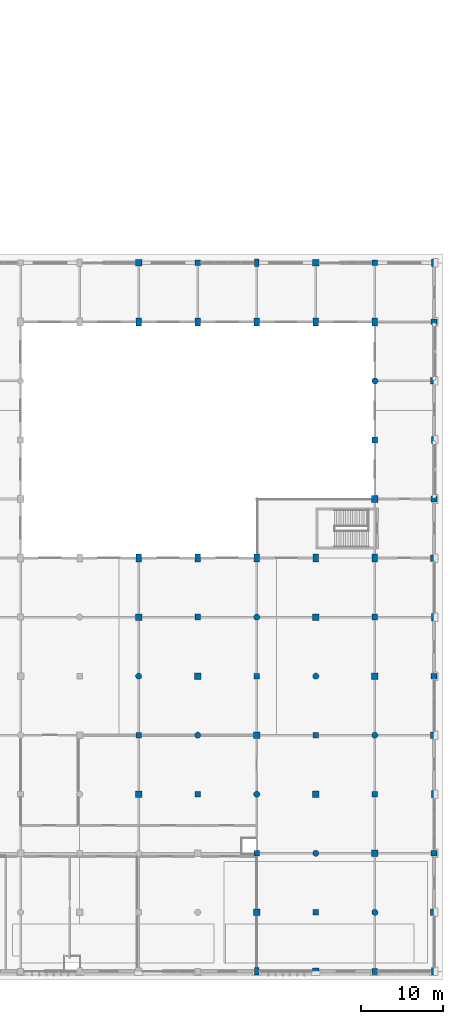
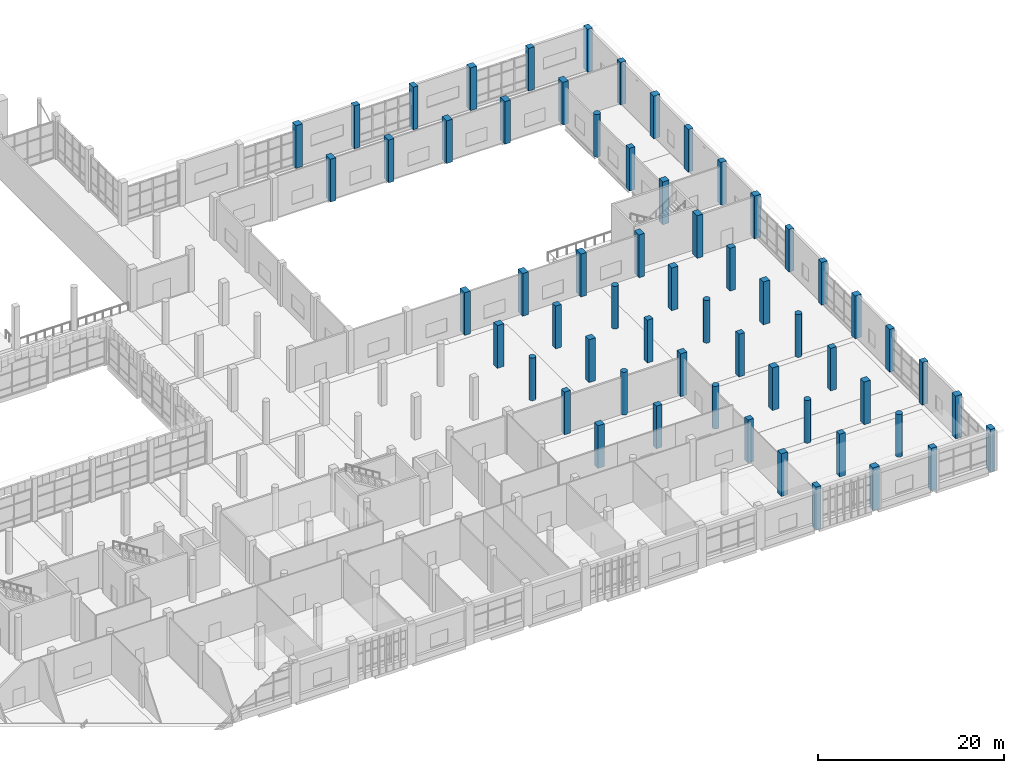
# One storey, part 7 of 80: 60 columns.
"""IFC4 building model written with IfcOpenShell, lengths in metres."""

from ifc_helpers import new_model, si_unit, direction, frame, origin, origin_2d, place, context, subcontext, project, spatial, rectangle, circle, extrude, material, material_profile, profile_set, type_object, element, save


model = new_model("IFC4")

# Units and contexts
model_context = context("Model", 3, precision=1e-05, world=origin(), true_north=direction((0.0, 1.0)))
body_context = subcontext(model_context, "Body", "Model", "MODEL_VIEW")
ifc_project = project(units=[si_unit("LENGTHUNIT", "METRE"), si_unit("AREAUNIT", "SQUARE_METRE"), si_unit("VOLUMEUNIT", "CUBIC_METRE"), si_unit("PLANEANGLEUNIT", "RADIAN"), si_unit("MASSUNIT", "GRAM", prefix="KILO")], contexts=[model_context])

# Site, building, storey
site_placement = place(None, origin())
site = spatial("IfcSite", under=ifc_project, at=site_placement, CompositionType="ELEMENT")
building_placement = place(site_placement, origin())
building = spatial("IfcBuilding", under=site, at=building_placement, Name="Sardonyx Promenade Sports Hall", CompositionType="ELEMENT")
storey_placement = place(building_placement, frame((0.0, 0.0, 5.60009765625)))
storey = spatial("IfcBuildingStorey", under=building, at=storey_placement, Name="L01", CompositionType="ELEMENT", Elevation=5.60009765625)

# Columns
ifc_material_1 = material(Name="Concrete C40/50", Category="concrete")
ifc_material_profile_1 = material_profile(ifc_material_1, rectangle(XDim=0.60009765625, YDim=0.89990234375, at=origin_2d()))
ifc_profile_set_1 = profile_set([ifc_material_profile_1], Name="Concrete C40/50")
column_type_1 = type_object("IfcColumnType", Name="Col_Ext_RC600x900", PredefinedType="COLUMN", material=ifc_profile_set_1)
for number, where, z_axis, x_axis, name in (
    (1, (144.0, 0.0, 0.0), (0.0, 0.0, 1.0), (1.0, 0.0, 0.0), "Column CE12 L01 (144.0,0.0)"),
    (2, (144.0, 86.39990234375, 0.0), (0.0, 0.0, 1.0), (1.0, 0.0, 0.0), "Column CE12 L01 (144.0,86.4)"),
    (3, (165.60009765625, 0.0, 0.0), (0.0, 0.0, 1.0), (1.0, 0.0, 0.0), "Column CE12 L01 (165.6,0.0)"),
    (4, (165.60009765625, 21.60009765625, 0.0), (0.0, 0.0, 1.0), (1.0, 0.0, 0.0), "Column CE12 L01 (165.6,21.6)"),
    (5, (165.60009765625, 43.199951171875, 0.0), (0.0, 0.0, 1.0), (1.0, 0.0, 0.0), "Column CE12 L01 (165.6,43.2)"),
    (6, (165.60009765625, 64.800048828125, 0.0), (0.0, 0.0, 1.0), (1.0, 0.0, 0.0), "Column CE12 L01 (165.6,64.8)"),
    (7, (165.60009765625, 86.39990234375, 0.0), (0.0, 0.0, 1.0), (1.0, 0.0, 0.0), "Column CE12 L01 (165.6,86.4)"),
):
    element("IfcColumn", number, at=place(storey_placement, frame(where, z_axis=z_axis, x_axis=x_axis)), inside=storey, type_object=column_type_1, Name=name, PredefinedType="COLUMN", context=body_context, shape_type="SweptSolid", body=[
        extrude(rectangle(XDim=0.60009765625, YDim=0.89990234375, at=origin_2d()), origin(), (0.0, 0.0, 1.0), 5.599853515625),
    ])
ifc_material_2 = material(Name="Concrete C40/50", Category="concrete")
ifc_material_profile_2 = material_profile(ifc_material_2, rectangle(XDim=0.699951171875, YDim=0.699951171875, at=origin_2d()))
ifc_profile_set_2 = profile_set([ifc_material_profile_2], Name="Concrete C40/50")
column_type_2 = type_object("IfcColumnType", Name="Col_Ext_RC700", PredefinedType="COLUMN", material=ifc_profile_set_2)
for number, where, z_axis, x_axis, name in (
    (8, (136.800048828125, 86.39990234375, 0.0), (0.0, 0.0, 1.0), (1.0, 0.0, 0.0), "Column CE05 L01 (136.8,86.4)"),
    (9, (158.39990234375, 0.0, 0.0), (0.0, 0.0, 1.0), (1.0, 0.0, 0.0), "Column CE05 L01 (158.4,0.0)"),
    (10, (158.39990234375, 86.39990234375, 0.0), (0.0, 0.0, 1.0), (1.0, 0.0, 0.0), "Column CE05 L01 (158.4,86.4)"),
    (11, (165.60009765625, 14.39990234375, 0.0), (0.0, 0.0, 1.0), (1.0, 0.0, 0.0), "Column CE05 L01 (165.6,14.4)"),
    (12, (165.60009765625, 36.0, 0.0), (0.0, 0.0, 1.0), (1.0, 0.0, 0.0), "Column CE05 L01 (165.6,36.0)"),
    (13, (165.60009765625, 57.60009765625, 0.0), (0.0, 0.0, 1.0), (1.0, 0.0, 0.0), "Column CE05 L01 (165.6,57.6)"),
    (14, (165.60009765625, 79.199951171875, 0.0), (0.0, 0.0, 1.0), (1.0, 0.0, 0.0), "Column CE05 L01 (165.6,79.2)"),
):
    element("IfcColumn", number, at=place(storey_placement, frame(where, z_axis=z_axis, x_axis=x_axis)), inside=storey, type_object=column_type_2, Name=name, PredefinedType="COLUMN", context=body_context, shape_type="SweptSolid", body=[
        extrude(rectangle(XDim=0.699951171875, YDim=0.699951171875, at=origin_2d()), origin(), (0.0, 0.0, 1.0), 5.599853515625),
    ])
ifc_material_3 = material(Name="Concrete C50/60", Category="concrete")
ifc_material_profile_3 = material_profile(ifc_material_3, rectangle(XDim=0.699951171875, YDim=1.0, at=origin_2d()))
ifc_profile_set_3 = profile_set([ifc_material_profile_3], Name="Concrete C50/60")
column_type_3 = type_object("IfcColumnType", Name="Col_Ext_RC700x1000", PredefinedType="COLUMN", material=ifc_profile_set_3)
for number, where, z_axis, x_axis, name in (
    (15, (129.60009765625, 50.39990234375, 0.0), (0.0, 0.0, 1.0), (1.0, 0.0, 0.0), "Column CE02 L01 (129.6,50.4)"),
    (16, (129.60009765625, 79.199951171875, 0.0), (0.0, 0.0, 1.0), (1.0, 0.0, 0.0), "Column CE02 L01 (129.6,79.2)"),
    (17, (136.800048828125, 50.39990234375, 0.0), (0.0, 0.0, 1.0), (1.0, 0.0, 0.0), "Column CE02 L01 (136.8,50.4)"),
    (18, (136.800048828125, 79.199951171875, 0.0), (0.0, 0.0, 1.0), (1.0, 0.0, 0.0), "Column CE02 L01 (136.8,79.2)"),
    (19, (144.0, 50.39990234375, 0.0), (0.0, 0.0, 1.0), (1.0, 0.0, 0.0), "Column CE02 L01 (144.0,50.4)"),
    (20, (144.0, 79.199951171875, 0.0), (0.0, 0.0, 1.0), (1.0, 0.0, 0.0), "Column CE02 L01 (144.0,79.2)"),
    (21, (151.199951171875, 50.39990234375, 0.0), (0.0, 0.0, 1.0), (1.0, 0.0, 0.0), "Column CE02 L01 (151.2,50.4)"),
    (22, (151.199951171875, 79.199951171875, 0.0), (0.0, 0.0, 1.0), (1.0, 0.0, 0.0), "Column CE02 L01 (151.2,79.2)"),
    (23, (158.39990234375, 50.39990234375, 0.0), (0.0, 0.0, 1.0), (1.0, 0.0, 0.0), "Column CE02 L01 (158.4,50.4)"),
    (24, (158.39990234375, 79.199951171875, 0.0), (0.0, 0.0, 1.0), (1.0, 0.0, 0.0), "Column CE02 L01 (158.4,79.2)"),
):
    element("IfcColumn", number, at=place(storey_placement, frame(where, z_axis=z_axis, x_axis=x_axis)), inside=storey, type_object=column_type_3, Name=name, PredefinedType="COLUMN", context=body_context, shape_type="SweptSolid", body=[
        extrude(rectangle(XDim=0.699951171875, YDim=1.0, at=origin_2d()), origin(), (0.0, 0.0, 1.0), 5.599853515625),
    ])
ifc_material_4 = material(Name="Concrete C50/60", Category="concrete")
ifc_material_profile_4 = material_profile(ifc_material_4, rectangle(XDim=0.800048828125, YDim=0.800048828125, at=origin_2d()))
ifc_profile_set_4 = profile_set([ifc_material_profile_4], Name="Concrete C50/60")
column_type_4 = type_object("IfcColumnType", Name="Col_Ext_RC800", PredefinedType="COLUMN", material=ifc_profile_set_4)
for number, where, z_axis, x_axis, name in (
    (25, (129.60009765625, 86.39990234375, 0.0), (0.0, 0.0, 1.0), (1.0, 0.0, 0.0), "Column CE13 L01 (129.6,86.4)"),
    (26, (151.199951171875, 0.0, 0.0), (0.0, 0.0, 1.0), (1.0, 0.0, 0.0), "Column CE13 L01 (151.2,0.0)"),
    (27, (151.199951171875, 86.39990234375, 0.0), (0.0, 0.0, 1.0), (1.0, 0.0, 0.0), "Column CE13 L01 (151.2,86.4)"),
    (28, (165.60009765625, 7.199951171875, 0.0), (0.0, 0.0, 1.0), (1.0, 0.0, 0.0), "Column CE13 L01 (165.6,7.2)"),
    (29, (165.60009765625, 28.800048828125, 0.0), (0.0, 0.0, 1.0), (1.0, 0.0, 0.0), "Column CE13 L01 (165.6,28.8)"),
    (30, (165.60009765625, 50.39990234375, 0.0), (0.0, 0.0, 1.0), (1.0, 0.0, 0.0), "Column CE13 L01 (165.6,50.4)"),
    (31, (165.60009765625, 72.0, 0.0), (0.0, 0.0, 1.0), (1.0, 0.0, 0.0), "Column CE13 L01 (165.6,72.0)"),
):
    element("IfcColumn", number, at=place(storey_placement, frame(where, z_axis=z_axis, x_axis=x_axis)), inside=storey, type_object=column_type_4, Name=name, PredefinedType="COLUMN", context=body_context, shape_type="SweptSolid", body=[
        extrude(rectangle(XDim=0.800048828125, YDim=0.800048828125, at=origin_2d()), origin(), (0.0, 0.0, 1.0), 5.599853515625),
    ])
ifc_material_5 = material(Name="Concrete C50/60", Category="concrete")
ifc_material_profile_5 = material_profile(ifc_material_5, rectangle(XDim=0.699951171875, YDim=0.699951171875, at=origin_2d()))
ifc_profile_set_5 = profile_set([ifc_material_profile_5], Name="Concrete C50/60")
column_type_5 = type_object("IfcColumnType", Name="Col_Int_RC700", PredefinedType="COLUMN", material=ifc_profile_set_5)
for number, where, z_axis, x_axis, name in (
    (32, (129.60009765625, 28.800048828125, 0.0), (0.0, 0.0, 1.0), (1.0, 0.0, 0.0), "Column CI03 L01 (129.6,28.8)"),
    (33, (136.800048828125, 21.60009765625, 0.0), (0.0, 0.0, 1.0), (1.0, 0.0, 0.0), "Column CI03 L01 (136.8,21.6)"),
    (34, (136.800048828125, 43.199951171875, 0.0), (0.0, 0.0, 1.0), (1.0, 0.0, 0.0), "Column CI03 L01 (136.8,43.2)"),
    (35, (144.0, 14.39990234375, 0.0), (0.0, 0.0, 1.0), (1.0, 0.0, 0.0), "Column CI03 L01 (144.0,14.4)"),
    (36, (144.0, 36.0, 0.0), (0.0, 0.0, 1.0), (1.0, 0.0, 0.0), "Column CI03 L01 (144.0,36.0)"),
    (37, (151.199951171875, 7.199951171875, 0.0), (0.0, 0.0, 1.0), (1.0, 0.0, 0.0), "Column CI03 L01 (151.2,7.2)"),
    (38, (151.199951171875, 28.800048828125, 0.0), (0.0, 0.0, 1.0), (1.0, 0.0, 0.0), "Column CI03 L01 (151.2,28.8)"),
    (39, (158.39990234375, 21.60009765625, 0.0), (0.0, 0.0, 1.0), (1.0, 0.0, 0.0), "Column CI03 L01 (158.4,21.6)"),
    (40, (158.39990234375, 43.199951171875, 0.0), (0.0, 0.0, 1.0), (1.0, 0.0, 0.0), "Column CI03 L01 (158.4,43.2)"),
    (41, (158.39990234375, 64.800048828125, 0.0), (0.0, 0.0, 1.0), (1.0, 0.0, 0.0), "Column CI03 L01 (158.4,64.8)"),
):
    element("IfcColumn", number, at=place(storey_placement, frame(where, z_axis=z_axis, x_axis=x_axis)), inside=storey, type_object=column_type_5, Name=name, PredefinedType="COLUMN", context=body_context, shape_type="SweptSolid", body=[
        extrude(rectangle(XDim=0.699951171875, YDim=0.699951171875, at=origin_2d()), origin(), (0.0, 0.0, 1.0), 5.599853515625),
    ])
ifc_material_6 = material(Name="Concrete C50/60", Category="concrete")
ifc_material_profile_6 = material_profile(ifc_material_6, rectangle(XDim=0.800048828125, YDim=0.800048828125, at=origin_2d()))
ifc_profile_set_6 = profile_set([ifc_material_profile_6], Name="Concrete C50/60")
column_type_6 = type_object("IfcColumnType", Name="Col_Int_RC800", PredefinedType="COLUMN", material=ifc_profile_set_6)
for number, where, z_axis, x_axis, name in (
    (42, (129.60009765625, 21.60009765625, 0.0), (0.0, 0.0, 1.0), (1.0, 0.0, 0.0), "Column CI01 L01 (129.6,21.6)"),
    (43, (129.60009765625, 43.199951171875, 0.0), (0.0, 0.0, 1.0), (1.0, 0.0, 0.0), "Column CI01 L01 (129.6,43.2)"),
    (44, (136.800048828125, 36.0, 0.0), (0.0, 0.0, 1.0), (1.0, 0.0, 0.0), "Column CI01 L01 (136.8,36.0)"),
    (45, (144.0, 7.199951171875, 0.0), (0.0, 0.0, 1.0), (1.0, 0.0, 0.0), "Column CI01 L01 (144.0,7.2)"),
    (46, (144.0, 28.800048828125, 0.0), (0.0, 0.0, 1.0), (1.0, 0.0, 0.0), "Column CI01 L01 (144.0,28.8)"),
    (47, (151.199951171875, 21.60009765625, 0.0), (0.0, 0.0, 1.0), (1.0, 0.0, 0.0), "Column CI01 L01 (151.2,21.6)"),
    (48, (151.199951171875, 43.199951171875, 0.0), (0.0, 0.0, 1.0), (1.0, 0.0, 0.0), "Column CI01 L01 (151.2,43.2)"),
    (49, (158.39990234375, 14.39990234375, 0.0), (0.0, 0.0, 1.0), (1.0, 0.0, 0.0), "Column CI01 L01 (158.4,14.4)"),
    (50, (158.39990234375, 36.0, 0.0), (0.0, 0.0, 1.0), (1.0, 0.0, 0.0), "Column CI01 L01 (158.4,36.0)"),
    (51, (158.39990234375, 57.60009765625, 0.0), (0.0, 0.0, 1.0), (1.0, 0.0, 0.0), "Column CI01 L01 (158.4,57.6)"),
):
    element("IfcColumn", number, at=place(storey_placement, frame(where, z_axis=z_axis, x_axis=x_axis)), inside=storey, type_object=column_type_6, Name=name, PredefinedType="COLUMN", context=body_context, shape_type="SweptSolid", body=[
        extrude(rectangle(XDim=0.800048828125, YDim=0.800048828125, at=origin_2d()), origin(), (0.0, 0.0, 1.0), 5.599853515625),
    ])
ifc_material_7 = material(Name="Concrete C50/60", Category="concrete")
ifc_material_profile_7 = material_profile(ifc_material_7, circle(Radius=0.375, at=origin_2d()))
ifc_profile_set_7 = profile_set([ifc_material_profile_7], Name="Concrete C50/60")
column_type_7 = type_object("IfcColumnType", Name="Col_Int_RCD750", PredefinedType="COLUMN", material=ifc_profile_set_7)
for number, where, z_axis, x_axis, name in (
    (52, (129.60009765625, 36.0, 0.0), (0.0, 0.0, 1.0), (1.0, 0.0, 0.0), "Column CI07 L01 (129.6,36.0)"),
    (53, (136.800048828125, 28.800048828125, 0.0), (0.0, 0.0, 1.0), (1.0, 0.0, 0.0), "Column CI07 L01 (136.8,28.8)"),
    (54, (144.0, 21.60009765625, 0.0), (0.0, 0.0, 1.0), (1.0, 0.0, 0.0), "Column CI07 L01 (144.0,21.6)"),
    (55, (144.0, 43.199951171875, 0.0), (0.0, 0.0, 1.0), (1.0, 0.0, 0.0), "Column CI07 L01 (144.0,43.2)"),
    (56, (151.199951171875, 14.39990234375, 0.0), (0.0, 0.0, 1.0), (1.0, 0.0, 0.0), "Column CI07 L01 (151.2,14.4)"),
    (57, (151.199951171875, 36.0, 0.0), (0.0, 0.0, 1.0), (1.0, 0.0, 0.0), "Column CI07 L01 (151.2,36.0)"),
    (58, (158.39990234375, 7.199951171875, 0.0), (0.0, 0.0, 1.0), (1.0, 0.0, 0.0), "Column CI07 L01 (158.4,7.2)"),
    (59, (158.39990234375, 28.800048828125, 0.0), (0.0, 0.0, 1.0), (1.0, 0.0, 0.0), "Column CI07 L01 (158.4,28.8)"),
    (60, (158.39990234375, 72.0, 0.0), (0.0, 0.0, 1.0), (1.0, 0.0, 0.0), "Column CI07 L01 (158.4,72.0)"),
):
    element("IfcColumn", number, at=place(storey_placement, frame(where, z_axis=z_axis, x_axis=x_axis)), inside=storey, type_object=column_type_7, Name=name, PredefinedType="COLUMN", context=body_context, shape_type="SweptSolid", body=[
        extrude(circle(Radius=0.375, at=origin_2d()), origin(), (0.0, 0.0, 1.0), 5.599853515625),
    ])

save(model, "model.ifc")
